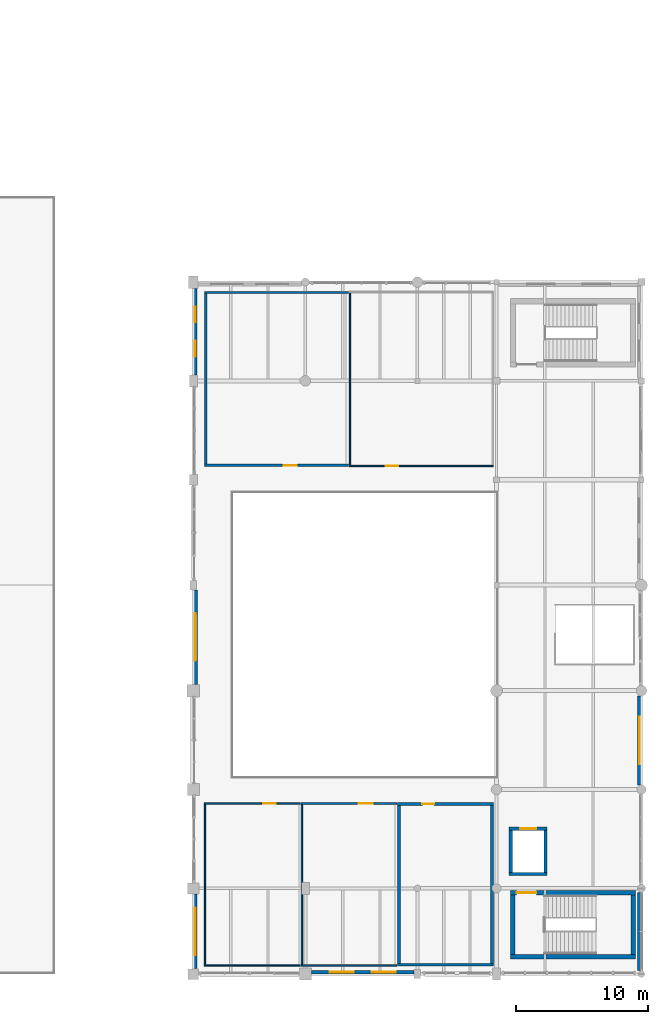
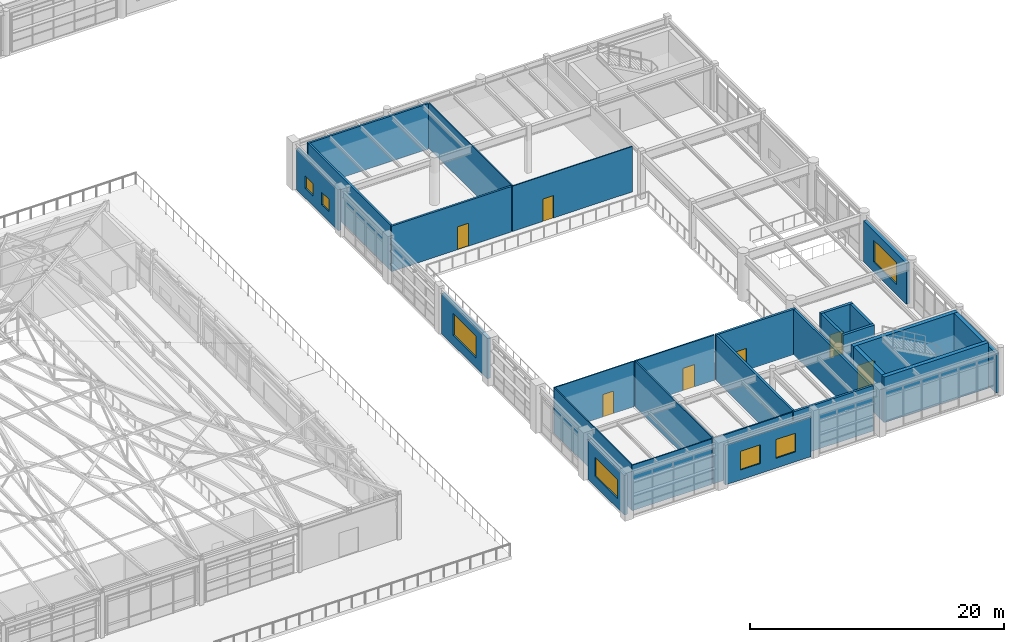
# One storey, part 155 of 168: 29 walls, 7 doors, 7 windows, 14 openings.
"""IFC4 building model written with IfcOpenShell, lengths in metres."""

from ifc_helpers import new_model, si_unit, direction, frame, frame_2d, origin, place, context, subcontext, project, spatial, rectangle, extrude, material, layer, layer_set, type_object, element, fill, save


model = new_model("IFC4")

# Units and contexts
model_context = context("Model", 3, precision=1e-05, world=origin(), true_north=direction((0.0, 1.0)))
body_context = subcontext(model_context, "Body", "Model", "MODEL_VIEW")
ifc_project = project(units=[si_unit("LENGTHUNIT", "METRE"), si_unit("AREAUNIT", "SQUARE_METRE"), si_unit("VOLUMEUNIT", "CUBIC_METRE"), si_unit("PLANEANGLEUNIT", "RADIAN"), si_unit("MASSUNIT", "GRAM", prefix="KILO"), si_unit("THERMODYNAMICTEMPERATUREUNIT", "KELVIN"), si_unit("POWERUNIT", "WATT")], contexts=[model_context])

# Site, building, storey
site_placement = place(None, origin())
site = spatial("IfcSite", under=ifc_project, at=site_placement, CompositionType="ELEMENT")
building_placement = place(site_placement, origin())
building = spatial("IfcBuilding", under=site, at=building_placement, Name="Tepalcoro Natatorium and Aquatics Centre", CompositionType="ELEMENT")
storey_placement = place(building_placement, frame((0.0, 0.0, 10.199951171875)))
storey = spatial("IfcBuildingStorey", under=building, at=storey_placement, Name="L02", CompositionType="ELEMENT", Elevation=10.199951171875)

# Wall, openings, windows
ifc_material_1 = material(Name="Precast Concrete C45/55 (fc 45 MPa)", Category="concrete")
ifc_layer_1 = layer(ifc_material_1, 0.284912109375)
ifc_layer_set_1 = layer_set([ifc_layer_1], Name="Precast Concrete C45/55 (fc 45 MPa)")
wall_type_1 = type_object("IfcWallType", Name="WL_EXT_INSUL_280", PredefinedType="SOLIDWALL", material=ifc_layer_set_1)
wall_1_placement = place(storey_placement, frame((150.9541015625, 6.642578125, 0.0), z_axis=(0.0, 0.0, 1.0), x_axis=(1.0, 0.0, 0.0)))
wall_1 = element("IfcWall", 1, at=wall_1_placement, inside=storey, type_object=wall_type_1, Name="V2 L02 S Volcanic Basalt Envelope Wall", PredefinedType="SOLIDWALL", context=body_context, shape_type="SweptSolid", body=[
    extrude(rectangle(XDim=7.7919921875, YDim=0.284912109375, at=frame_2d((3.89599609375, 0.0))), origin(), (0.0, 0.0, 1.0), 3.81396484375),
])
opening_1_placement = place(wall_1_placement, frame((1.397216796875, 0.0, 0.949951171875)))
opening_1 = element("IfcOpeningElement", 2, at=opening_1_placement, cuts=wall_1, Name="Opening W0035A", PredefinedType="OPENING", context=body_context, shape_type="SweptSolid", body=[
    extrude(rectangle(XDim=1.800048828125, YDim=1.800048828125, at=frame_2d((0.89990234375, 0.89990234375))), frame((0.0, 0.154296875, 0.0), z_axis=(0.0, -1.0, 0.0), x_axis=(1.0, 0.0, 0.0)), (0.0, 0.0, 1.0), 0.308837890625),
])
opening_2_placement = place(wall_1_placement, frame((4.5947265625, 0.0, 0.949951171875)))
opening_2 = element("IfcOpeningElement", 3, at=opening_2_placement, cuts=wall_1, Name="Opening W0035B", PredefinedType="OPENING", context=body_context, shape_type="SweptSolid", body=[
    extrude(rectangle(XDim=1.800048828125, YDim=1.800048828125, at=frame_2d((0.89990234375, 0.89990234375))), frame((0.0, 0.154296875, 0.0), z_axis=(0.0, -1.0, 0.0), x_axis=(1.0, 0.0, 0.0)), (0.0, 0.0, 1.0), 0.308837890625),
])
ifc_material_2 = material(Name="Solar-Control Bronze Tempered Low-E Double Glazing", Category="glass")
window_type_1 = type_object("IfcWindowType", Name="WN_180x180", PartitioningType="SINGLE_PANEL", PredefinedType="WINDOW", material=ifc_material_2)
window_1_placement = place(opening_1_placement, origin())
window_1 = element("IfcWindow", 4, at=window_1_placement, inside=storey, type_object=window_type_1, Name="Exterior Thermal Window WN_180x180", OverallHeight=1.800048828125, OverallWidth=1.800048828125, PartitioningType="SINGLE_PANEL", PredefinedType="WINDOW", context=body_context, shape_type="SweptSolid", body=[
    extrude(rectangle(XDim=1.800048828125, YDim=1.800048828125, at=frame_2d((0.89990234375, 0.89990234375))), frame((0.0, 0.030029296875, 0.0), z_axis=(0.0, -1.0, 0.0), x_axis=(1.0, 0.0, 0.0)), (0.0, 0.0, 1.0), 0.06005859375),
])
fill(opening_1, window_1)
window_2_placement = place(opening_2_placement, origin())
window_2 = element("IfcWindow", 5, at=window_2_placement, inside=storey, type_object=window_type_1, Name="Exterior Thermal Window WN_180x180", OverallHeight=1.800048828125, OverallWidth=1.800048828125, PartitioningType="SINGLE_PANEL", PredefinedType="WINDOW", context=body_context, shape_type="SweptSolid", body=[
    extrude(rectangle(XDim=1.800048828125, YDim=1.800048828125, at=frame_2d((0.89990234375, 0.89990234375))), frame((0.0, 0.030029296875, 0.0), z_axis=(0.0, -1.0, 0.0), x_axis=(1.0, 0.0, 0.0)), (0.0, 0.0, 1.0), 0.06005859375),
])
fill(opening_2, window_2)

# Wall, opening, window
wall_2_placement = place(storey_placement, frame((142.142578125, 6.904052734375, 0.0), z_axis=(0.0, 0.0, 1.0), x_axis=(0.0, 1.0, 0.0)))
wall_2 = element("IfcWall", 6, at=wall_2_placement, inside=storey, type_object=wall_type_1, Name="V2 L02 W Volcanic Basalt Envelope Wall", PredefinedType="SOLIDWALL", context=body_context, shape_type="SweptSolid", body=[
    extrude(rectangle(XDim=5.6669921875, YDim=0.284912109375, at=frame_2d((2.83349609375, 0.0))), origin(), (0.0, 0.0, 1.0), 3.81396484375),
])
opening_3_placement = place(wall_2_placement, frame((1.033447265625, 0.0, 0.949951171875)))
opening_3 = element("IfcOpeningElement", 7, at=opening_3_placement, cuts=wall_2, Name="Opening W0038", PredefinedType="OPENING", context=body_context, shape_type="SweptSolid", body=[
    extrude(rectangle(XDim=3.60009765625, YDim=1.800048828125, at=frame_2d((1.800048828125, 0.89990234375))), frame((0.0, 0.154296875, 0.0), z_axis=(0.0, -1.0, 0.0), x_axis=(1.0, 0.0, 0.0)), (0.0, 0.0, 1.0), 0.308837890625),
])
window_type_2 = type_object("IfcWindowType", Name="WN_360x180", PartitioningType="SINGLE_PANEL", PredefinedType="WINDOW", material=ifc_material_2)
window_3_placement = place(opening_3_placement, origin())
window_3 = element("IfcWindow", 8, at=window_3_placement, inside=storey, type_object=window_type_2, Name="Exterior Thermal Window WN_360x180", OverallHeight=1.800048828125, OverallWidth=3.60009765625, PartitioningType="SINGLE_PANEL", PredefinedType="WINDOW", context=body_context, shape_type="SweptSolid", body=[
    extrude(rectangle(XDim=3.60009765625, YDim=1.800048828125, at=frame_2d((1.800048828125, 0.89990234375))), frame((0.0, 0.030029296875, 0.0), z_axis=(0.0, -1.0, 0.0), x_axis=(1.0, 0.0, 0.0)), (0.0, 0.0, 1.0), 0.06005859375),
])
fill(opening_3, window_3)

# Wall, openings, windows
wall_3_placement = place(storey_placement, frame((142.142578125, 51.9541015625, 0.0), z_axis=(0.0, 0.0, 1.0), x_axis=(0.0, 1.0, 0.0)))
wall_3 = element("IfcWall", 9, at=wall_3_placement, inside=storey, type_object=wall_type_1, Name="V2 L02 W Volcanic Basalt Envelope Wall", PredefinedType="SOLIDWALL", context=body_context, shape_type="SweptSolid", body=[
    extrude(rectangle(XDim=6.56689453125, YDim=0.284912109375, at=frame_2d((3.283447265625, 0.0))), origin(), (0.0, 0.0, 1.0), 3.93701171875),
])
opening_4_placement = place(wall_3_placement, frame((1.388916015625, 0.0, 0.949951171875)))
opening_4 = element("IfcOpeningElement", 10, at=opening_4_placement, cuts=wall_3, Name="Opening W0040A", PredefinedType="OPENING", context=body_context, shape_type="SweptSolid", body=[
    extrude(rectangle(XDim=1.199951171875, YDim=1.199951171875, at=frame_2d((0.60009765625, 0.60009765625))), frame((0.0, 0.154296875, 0.0), z_axis=(0.0, -1.0, 0.0), x_axis=(1.0, 0.0, 0.0)), (0.0, 0.0, 1.0), 0.308837890625),
])
opening_5_placement = place(wall_3_placement, frame((3.97802734375, 0.0, 0.949951171875)))
opening_5 = element("IfcOpeningElement", 11, at=opening_5_placement, cuts=wall_3, Name="Opening W0040B", PredefinedType="OPENING", context=body_context, shape_type="SweptSolid", body=[
    extrude(rectangle(XDim=1.199951171875, YDim=1.199951171875, at=frame_2d((0.60009765625, 0.60009765625))), frame((0.0, 0.154296875, 0.0), z_axis=(0.0, -1.0, 0.0), x_axis=(1.0, 0.0, 0.0)), (0.0, 0.0, 1.0), 0.308837890625),
])
window_type_3 = type_object("IfcWindowType", Name="WN_120x120", PartitioningType="SINGLE_PANEL", PredefinedType="WINDOW", material=ifc_material_2)
window_4_placement = place(opening_4_placement, origin())
window_4 = element("IfcWindow", 12, at=window_4_placement, inside=storey, type_object=window_type_3, Name="Exterior Thermal Window WN_120x120", OverallHeight=1.199951171875, OverallWidth=1.199951171875, PartitioningType="SINGLE_PANEL", PredefinedType="WINDOW", context=body_context, shape_type="SweptSolid", body=[
    extrude(rectangle(XDim=1.199951171875, YDim=1.199951171875, at=frame_2d((0.60009765625, 0.60009765625))), frame((0.0, 0.030029296875, 0.0), z_axis=(0.0, -1.0, 0.0), x_axis=(1.0, 0.0, 0.0)), (0.0, 0.0, 1.0), 0.06005859375),
])
fill(opening_4, window_4)
window_5_placement = place(opening_5_placement, origin())
window_5 = element("IfcWindow", 13, at=window_5_placement, inside=storey, type_object=window_type_3, Name="Exterior Thermal Window WN_120x120", OverallHeight=1.199951171875, OverallWidth=1.199951171875, PartitioningType="SINGLE_PANEL", PredefinedType="WINDOW", context=body_context, shape_type="SweptSolid", body=[
    extrude(rectangle(XDim=1.199951171875, YDim=1.199951171875, at=frame_2d((0.60009765625, 0.60009765625))), frame((0.0, 0.030029296875, 0.0), z_axis=(0.0, -1.0, 0.0), x_axis=(1.0, 0.0, 0.0)), (0.0, 0.0, 1.0), 0.06005859375),
])
fill(opening_5, window_5)

# Wall, opening, window
ifc_material_3 = material(Name="Jalisco Cantera Rosa Volcanic Tuff Ashlar Masonry", Category="masonry")
ifc_layer_2 = layer(ifc_material_3, 0.304931640625)
ifc_layer_set_2 = layer_set([ifc_layer_2], Name="Jalisco Cantera Rosa Volcanic Tuff Ashlar Masonry")
wall_type_2 = type_object("IfcWallType", Name="WL_EXT_TERRACOTTA_300", PredefinedType="SOLIDWALL", material=ifc_layer_set_2)
wall_4_placement = place(storey_placement, frame((142.152587890625, 28.47900390625, 0.0), z_axis=(0.0, 0.0, 1.0), x_axis=(0.0, 1.0, 0.0)))
wall_4 = element("IfcWall", 14, at=wall_4_placement, inside=storey, type_object=wall_type_2, Name="V2 L02 W Volcanic Basalt Envelope Wall", PredefinedType="SOLIDWALL", context=body_context, shape_type="SweptSolid", body=[
    extrude(rectangle(XDim=7.1669921875, YDim=0.304931640625, at=frame_2d((3.58349609375, 0.0))), origin(), (0.0, 0.0, 1.0), 3.89013671875),
])
opening_6_placement = place(wall_4_placement, frame((1.783447265625, 0.0, 0.949951171875)))
opening_6 = element("IfcOpeningElement", 15, at=opening_6_placement, cuts=wall_4, Name="Opening W0039", PredefinedType="OPENING", context=body_context, shape_type="SweptSolid", body=[
    extrude(rectangle(XDim=3.60009765625, YDim=2.10009765625, at=frame_2d((1.800048828125, 1.050048828125))), frame((0.0, 0.16455078125, 0.0), z_axis=(0.0, -1.0, 0.0), x_axis=(1.0, 0.0, 0.0)), (0.0, 0.0, 1.0), 0.328857421875),
])
window_type_4 = type_object("IfcWindowType", Name="WN_360x210", PartitioningType="SINGLE_PANEL", PredefinedType="WINDOW", material=ifc_material_2)
window_6_placement = place(opening_6_placement, origin())
window_6 = element("IfcWindow", 16, at=window_6_placement, inside=storey, type_object=window_type_4, Name="Exterior Thermal Window WN_360x210", OverallHeight=2.10009765625, OverallWidth=3.60009765625, PartitioningType="SINGLE_PANEL", PredefinedType="WINDOW", context=body_context, shape_type="SweptSolid", body=[
    extrude(rectangle(XDim=3.60009765625, YDim=2.10009765625, at=frame_2d((1.800048828125, 1.050048828125))), frame((0.0, 0.030029296875, 0.0), z_axis=(0.0, -1.0, 0.0), x_axis=(1.0, 0.0, 0.0)), (0.0, 0.0, 1.0), 0.06005859375),
])
fill(opening_6, window_6)

# Wall
wall_5_placement = place(storey_placement, frame((175.847412109375, 6.75390625, 0.0), z_axis=(0.0, 0.0, 1.0), x_axis=(0.0, 1.0, 0.0)))
element("IfcWall", 17, at=wall_5_placement, inside=storey, type_object=wall_type_2, Name="V2 L02 E Volcanic Basalt Envelope Wall", PredefinedType="SOLIDWALL", context=body_context, shape_type="SweptSolid", body=[
    extrude(rectangle(XDim=5.942138671875, YDim=0.304931640625, at=frame_2d((2.97119140625, 0.0))), origin(), (0.0, 0.0, 1.0), 3.81396484375),
])

# Wall, opening, window
wall_6_placement = place(storey_placement, frame((175.847412109375, 20.85400390625, 0.0), z_axis=(0.0, 0.0, 1.0), x_axis=(0.0, 1.0, 0.0)))
wall_6 = element("IfcWall", 18, at=wall_6_placement, inside=storey, type_object=wall_type_2, Name="V2 L02 E Volcanic Basalt Envelope Wall", PredefinedType="SOLIDWALL", context=body_context, shape_type="SweptSolid", body=[
    extrude(rectangle(XDim=6.741943359375, YDim=0.304931640625, at=frame_2d((3.37109375, 0.0))), origin(), (0.0, 0.0, 1.0), 3.93701171875),
])
opening_7_placement = place(wall_6_placement, frame((1.571044921875, 0.0, 0.949951171875)))
opening_7 = element("IfcOpeningElement", 19, at=opening_7_placement, cuts=wall_6, Name="Opening W0041", PredefinedType="OPENING", context=body_context, shape_type="SweptSolid", body=[
    extrude(rectangle(XDim=3.60009765625, YDim=2.10009765625, at=frame_2d((1.800048828125, 1.050048828125))), frame((0.0, 0.16455078125, 0.0), z_axis=(0.0, -1.0, 0.0), x_axis=(1.0, 0.0, 0.0)), (0.0, 0.0, 1.0), 0.328857421875),
])
window_7_placement = place(opening_7_placement, origin())
window_7 = element("IfcWindow", 20, at=window_7_placement, inside=storey, type_object=window_type_4, Name="Exterior Thermal Window WN_360x210", OverallHeight=2.10009765625, OverallWidth=3.60009765625, PartitioningType="SINGLE_PANEL", PredefinedType="WINDOW", context=body_context, shape_type="SweptSolid", body=[
    extrude(rectangle(XDim=3.60009765625, YDim=2.10009765625, at=frame_2d((1.800048828125, 1.050048828125))), frame((0.0, 0.030029296875, 0.0), z_axis=(0.0, -1.0, 0.0), x_axis=(1.0, 0.0, 0.0)), (0.0, 0.0, 1.0), 0.06005859375),
])
fill(opening_7, window_7)

# Wall
ifc_material_4 = material(Name="Moisture-Resistant Acoustic Gypsum Drywall on Cold-Formed Metal Studs")
ifc_layer_3 = layer(ifc_material_4, 0.10009765625)
ifc_layer_set_3 = layer_set([ifc_layer_3], Name="Moisture-Resistant Acoustic Gypsum Drywall on Cold-Formed Metal Studs")
wall_type_3 = type_object("IfcWallType", Name="WL_PART_100", PredefinedType="PARTITIONING", material=ifc_layer_set_3)
wall_7_placement = place(storey_placement, frame((142.840087890625, 7.14990234375, 0.0), z_axis=(0.0, 0.0, 1.0), x_axis=(1.0, 0.0, 0.0)))
element("IfcWall", 21, at=wall_7_placement, inside=storey, type_object=wall_type_3, Name="10m Platform Synchronised Diving Preparation Studio Partition S", PredefinedType="PARTITIONING", context=body_context, shape_type="SweptSolid", body=[
    extrude(rectangle(XDim=7.2529296875, YDim=0.10009765625, at=frame_2d((3.62646484375, 0.0))), origin(), (0.0, 0.0, 1.0), 4.364990234375),
])

# Wall, opening, door
wall_8_placement = place(storey_placement, frame((142.840087890625, 19.449951171875, 0.0), z_axis=(0.0, 0.0, 1.0), x_axis=(1.0, 0.0, 0.0)))
wall_8 = element("IfcWall", 22, at=wall_8_placement, inside=storey, type_object=wall_type_3, Name="10m Platform Synchronised Diving Preparation Studio Partition N", PredefinedType="PARTITIONING", context=body_context, shape_type="SweptSolid", body=[
    extrude(rectangle(XDim=7.2529296875, YDim=0.10009765625, at=frame_2d((3.62646484375, 0.0))), origin(), (0.0, 0.0, 1.0), 4.364990234375),
])
opening_8_placement = place(wall_8_placement, frame((4.4521484375, 0.0, 0.0)))
opening_8 = element("IfcOpeningElement", 23, at=opening_8_placement, cuts=wall_8, Name="Opening D0157", PredefinedType="OPENING", context=body_context, shape_type="SweptSolid", body=[
    extrude(rectangle(XDim=0.949951171875, YDim=2.14990234375, at=frame_2d((0.47509765625, 1.074951171875))), frame((0.0, 0.06201171875, 0.0), z_axis=(0.0, -1.0, 0.0), x_axis=(1.0, 0.0, 0.0)), (0.0, 0.0, 1.0), 0.1240234375),
])
ifc_material_5 = material(Name="Solid-Core Moisture-Sealed Oak Timber Leaf in Aluminium Frame", Category="wood")
door_type_1 = type_object("IfcDoorType", Name="DR_095x215_OFFICE", OperationType="NOTDEFINED", PredefinedType="DOOR", material=ifc_material_5)
door_1_placement = place(opening_8_placement, frame((0.949951171875, 0.0, 0.0), z_axis=(0.0, 0.0, 1.0), x_axis=(-1.0, 0.0, 0.0)))
door_1 = element("IfcDoor", 24, at=door_1_placement, inside=storey, type_object=door_type_1, Name="10m Platform Synchronised Diving Preparation Studio Door", OperationType="SINGLE_SWING_LEFT", OverallHeight=2.14990234375, OverallWidth=0.949951171875, PredefinedType="DOOR", context=body_context, shape_type="SweptSolid", body=[
    extrude(rectangle(XDim=0.949951171875, YDim=2.14990234375, at=frame_2d((0.47509765625, 1.074951171875))), frame((0.0, 0.02490234375, 0.0), z_axis=(0.0, -1.0, 0.0), x_axis=(1.0, 0.0, 0.0)), (0.0, 0.0, 1.0), 0.050048828125),
])
fill(opening_8, door_1)

# Wall
wall_9_placement = place(storey_placement, frame((142.889892578125, 7.199951171875, 0.0), z_axis=(0.0, 0.0, 1.0), x_axis=(0.0, 1.0, 0.0)))
element("IfcWall", 25, at=wall_9_placement, inside=storey, type_object=wall_type_3, Name="10m Platform Synchronised Diving Preparation Studio Partition W", PredefinedType="PARTITIONING", context=body_context, shape_type="SweptSolid", body=[
    extrude(rectangle(XDim=12.199951171875, YDim=0.10009765625, at=frame_2d((6.10009765625, 0.0))), origin(), (0.0, 0.0, 1.0), 4.364990234375),
])

# Wall, opening, door
wall_10_placement = place(storey_placement, frame((153.840087890625, 45.050048828125, 0.0), z_axis=(0.0, 0.0, 1.0), x_axis=(1.0, 0.0, 0.0)))
wall_10 = element("IfcWall", 26, at=wall_10_placement, inside=storey, type_object=wall_type_3, Name="Diving Sports Psychology & Quiet Focus Room Partition S", PredefinedType="PARTITIONING", context=body_context, shape_type="SweptSolid", body=[
    extrude(rectangle(XDim=10.919921875, YDim=0.10009765625, at=frame_2d((5.4599609375, 0.0))), origin(), (0.0, 0.0, 1.0), 4.364990234375),
])
opening_9_placement = place(wall_10_placement, frame((2.767578125, 0.0, 0.0)))
opening_9 = element("IfcOpeningElement", 27, at=opening_9_placement, cuts=wall_10, Name="Opening D0161", PredefinedType="OPENING", context=body_context, shape_type="SweptSolid", body=[
    extrude(rectangle(XDim=0.949951171875, YDim=2.14990234375, at=frame_2d((0.47509765625, 1.074951171875))), frame((0.0, 0.06201171875, 0.0), z_axis=(0.0, -1.0, 0.0), x_axis=(1.0, 0.0, 0.0)), (0.0, 0.0, 1.0), 0.1240234375),
])
door_2_placement = place(opening_9_placement, origin())
door_2 = element("IfcDoor", 28, at=door_2_placement, inside=storey, type_object=door_type_1, Name="Diving Sports Psychology & Quiet Focus Room Door", OperationType="SINGLE_SWING_LEFT", OverallHeight=2.14990234375, OverallWidth=0.949951171875, PredefinedType="DOOR", context=body_context, shape_type="SweptSolid", body=[
    extrude(rectangle(XDim=0.949951171875, YDim=2.14990234375, at=frame_2d((0.47509765625, 1.074951171875))), frame((0.0, 0.02490234375, 0.0), z_axis=(0.0, -1.0, 0.0), x_axis=(1.0, 0.0, 0.0)), (0.0, 0.0, 1.0), 0.050048828125),
])
fill(opening_9, door_2)

# Walls
wall_11_placement = place(storey_placement, frame((153.889892578125, 45.10009765625, 0.0), z_axis=(0.0, 0.0, 1.0), x_axis=(0.0, 1.0, 0.0)))
element("IfcWall", 29, at=wall_11_placement, inside=storey, type_object=wall_type_3, Name="Diving Sports Psychology & Quiet Focus Room Partition W", PredefinedType="PARTITIONING", context=body_context, shape_type="SweptSolid", body=[
    extrude(rectangle(XDim=13.099853515625, YDim=0.10009765625, at=frame_2d((6.5498046875, 0.0))), origin(), (0.0, 0.0, 1.0), 4.364990234375),
])
ifc_layer_4 = layer(ifc_material_4, 0.125)
ifc_layer_set_4 = layer_set([ifc_layer_4], Name="Moisture-Resistant Acoustic Gypsum Drywall on Cold-Formed Metal Studs")
wall_type_4 = type_object("IfcWallType", Name="WL_PART_125", PredefinedType="PARTITIONING", material=ifc_layer_set_4)
wall_12_placement = place(storey_placement, frame((150.173095703125, 7.16259765625, 0.0), z_axis=(0.0, 0.0, 1.0), x_axis=(1.0, 0.0, 0.0)))
element("IfcWall", 30, at=wall_12_placement, inside=storey, type_object=wall_type_4, Name="High-Speed Motion-Capture Biomechanics Lab Partition S", PredefinedType="PARTITIONING", context=body_context, shape_type="SweptSolid", body=[
    extrude(rectangle(XDim=7.25390625, YDim=0.125, at=frame_2d((3.626953125, 0.0))), origin(), (0.0, 0.0, 1.0), 4.364990234375),
])

# Wall, opening, door
wall_13_placement = place(storey_placement, frame((150.173095703125, 19.4375, 0.0), z_axis=(0.0, 0.0, 1.0), x_axis=(1.0, 0.0, 0.0)))
wall_13 = element("IfcWall", 31, at=wall_13_placement, inside=storey, type_object=wall_type_4, Name="High-Speed Motion-Capture Biomechanics Lab Partition N", PredefinedType="PARTITIONING", context=body_context, shape_type="SweptSolid", body=[
    extrude(rectangle(XDim=7.25390625, YDim=0.125, at=frame_2d((3.626953125, 0.0))), origin(), (0.0, 0.0, 1.0), 4.364990234375),
])
opening_10_placement = place(wall_13_placement, frame((4.3779296875, 0.0, 0.0)))
opening_10 = element("IfcOpeningElement", 32, at=opening_10_placement, cuts=wall_13, Name="Opening D0158", PredefinedType="OPENING", context=body_context, shape_type="SweptSolid", body=[
    extrude(rectangle(XDim=1.050048828125, YDim=2.14990234375, at=frame_2d((0.52490234375, 1.074951171875))), frame((0.0, 0.074462890625, 0.0), z_axis=(0.0, -1.0, 0.0), x_axis=(1.0, 0.0, 0.0)), (0.0, 0.0, 1.0), 0.14892578125),
])
door_type_2 = type_object("IfcDoorType", Name="DR_105x215_ACC", OperationType="NOTDEFINED", PredefinedType="DOOR", material=ifc_material_5)
door_3_placement = place(opening_10_placement, frame((1.050048828125, 0.0, 0.0), z_axis=(0.0, 0.0, 1.0), x_axis=(-1.0, 0.0, 0.0)))
door_3 = element("IfcDoor", 33, at=door_3_placement, inside=storey, type_object=door_type_2, Name="High-Speed Motion-Capture Biomechanics Lab Door", OperationType="SINGLE_SWING_RIGHT", OverallHeight=2.14990234375, OverallWidth=1.050048828125, PredefinedType="DOOR", context=body_context, shape_type="SweptSolid", body=[
    extrude(rectangle(XDim=1.050048828125, YDim=2.14990234375, at=frame_2d((0.52490234375, 1.074951171875))), frame((0.0, 0.02490234375, 0.0), z_axis=(0.0, -1.0, 0.0), x_axis=(1.0, 0.0, 0.0)), (0.0, 0.0, 1.0), 0.050048828125),
])
fill(opening_10, door_3)

# Wall
wall_14_placement = place(storey_placement, frame((150.235595703125, 7.22509765625, 0.0), z_axis=(0.0, 0.0, 1.0), x_axis=(0.0, 1.0, 0.0)))
element("IfcWall", 34, at=wall_14_placement, inside=storey, type_object=wall_type_4, Name="High-Speed Motion-Capture Biomechanics Lab Partition W", PredefinedType="PARTITIONING", context=body_context, shape_type="SweptSolid", body=[
    extrude(rectangle(XDim=12.14990234375, YDim=0.125, at=frame_2d((6.074951171875, 0.0))), origin(), (0.0, 0.0, 1.0), 4.364990234375),
])

# Wall, opening, door
ifc_layer_5 = layer(ifc_material_4, 0.179931640625)
ifc_layer_set_5 = layer_set([ifc_layer_5], Name="Moisture-Resistant Acoustic Gypsum Drywall on Cold-Formed Metal Studs")
wall_type_5 = type_object("IfcWallType", Name="WL_PART_180_AC", PredefinedType="PARTITIONING", material=ifc_layer_set_5)
wall_15_placement = place(storey_placement, frame((142.840087890625, 45.090087890625, 0.0), z_axis=(0.0, 0.0, 1.0), x_axis=(1.0, 0.0, 0.0)))
wall_15 = element("IfcWall", 35, at=wall_15_placement, inside=storey, type_object=wall_type_5, Name="Platform Judges Elevated Sightline Lounge Partition S", PredefinedType="PARTITIONING", context=body_context, shape_type="SweptSolid", body=[
    extrude(rectangle(XDim=10.919921875, YDim=0.179931640625, at=frame_2d((5.4599609375, 0.0))), origin(), (0.0, 0.0, 1.0), 4.364990234375),
])
opening_11_placement = place(wall_15_placement, frame((6.018310546875, 0.0, 0.0)))
opening_11 = element("IfcOpeningElement", 36, at=opening_11_placement, cuts=wall_15, Name="Opening D0160", PredefinedType="OPENING", context=body_context, shape_type="SweptSolid", body=[
    extrude(rectangle(XDim=1.0, YDim=2.199951171875, at=frame_2d((0.5, 1.10009765625))), frame((0.0, 0.10205078125, 0.0), z_axis=(0.0, -1.0, 0.0), x_axis=(1.0, 0.0, 0.0)), (0.0, 0.0, 1.0), 0.203857421875),
])
ifc_material_6 = material(Name="Galvanised Steel Insulated Acoustic Fire Door Assembly", Category="steel")
door_type_3 = type_object("IfcDoorType", Name="DR_100x220_FD60", OperationType="NOTDEFINED", PredefinedType="DOOR", material=ifc_material_6)
door_4_placement = place(opening_11_placement, origin())
door_4 = element("IfcDoor", 37, at=door_4_placement, inside=storey, type_object=door_type_3, Name="Platform Judges Elevated Sightline Lounge Door", OperationType="SINGLE_SWING_RIGHT", OverallHeight=2.199951171875, OverallWidth=1.0, PredefinedType="DOOR", context=body_context, shape_type="SweptSolid", body=[
    extrude(rectangle(XDim=1.0, YDim=2.199951171875, at=frame_2d((0.5, 1.10009765625))), frame((0.0, 0.02490234375, 0.0), z_axis=(0.0, -1.0, 0.0), x_axis=(1.0, 0.0, 0.0)), (0.0, 0.0, 1.0), 0.050048828125),
])
fill(opening_11, door_4)

# Walls
wall_16_placement = place(storey_placement, frame((142.840087890625, 58.2099609375, 0.0), z_axis=(0.0, 0.0, 1.0), x_axis=(1.0, 0.0, 0.0)))
element("IfcWall", 38, at=wall_16_placement, inside=storey, type_object=wall_type_5, Name="Platform Judges Elevated Sightline Lounge Partition N", PredefinedType="PARTITIONING", context=body_context, shape_type="SweptSolid", body=[
    extrude(rectangle(XDim=10.919921875, YDim=0.179931640625, at=frame_2d((5.4599609375, 0.0))), origin(), (0.0, 0.0, 1.0), 4.364990234375),
])
wall_17_placement = place(storey_placement, frame((142.929931640625, 45.179931640625, 0.0), z_axis=(0.0, 0.0, 1.0), x_axis=(0.0, 1.0, 0.0)))
element("IfcWall", 39, at=wall_17_placement, inside=storey, type_object=wall_type_5, Name="Platform Judges Elevated Sightline Lounge Partition W", PredefinedType="PARTITIONING", context=body_context, shape_type="SweptSolid", body=[
    extrude(rectangle(XDim=12.940185546875, YDim=0.179931640625, at=frame_2d((6.47021484375, 0.0))), origin(), (0.0, 0.0, 1.0), 4.364990234375),
])
ifc_material_7 = material(Name="Ceramic-Tiled Moisture-Resistant Masonry Blockwork", Category="masonry")
ifc_layer_6 = layer(ifc_material_7, 0.199951171875)
ifc_layer_set_6 = layer_set([ifc_layer_6], Name="Ceramic-Tiled Moisture-Resistant Masonry Blockwork")
wall_type_6 = type_object("IfcWallType", Name="WL_PLUMB_200", PredefinedType="PLUMBINGWALL", material=ifc_layer_set_6)
wall_18_placement = place(storey_placement, frame((157.507080078125, 7.199951171875, 0.0), z_axis=(0.0, 0.0, 1.0), x_axis=(1.0, 0.0, 0.0)))
element("IfcWall", 40, at=wall_18_placement, inside=storey, type_object=wall_type_6, Name="L02 Diving Athletes Accessible WC & Shower Partition S", PredefinedType="PLUMBINGWALL", context=body_context, shape_type="SweptSolid", body=[
    extrude(rectangle(XDim=7.2529296875, YDim=0.199951171875, at=frame_2d((3.62646484375, 0.0))), origin(), (0.0, 0.0, 1.0), 4.364990234375),
])

# Wall, opening, door
wall_19_placement = place(storey_placement, frame((157.507080078125, 19.39990234375, 0.0), z_axis=(0.0, 0.0, 1.0), x_axis=(1.0, 0.0, 0.0)))
wall_19 = element("IfcWall", 41, at=wall_19_placement, inside=storey, type_object=wall_type_6, Name="L02 Diving Athletes Accessible WC & Shower Partition N", PredefinedType="PLUMBINGWALL", context=body_context, shape_type="SweptSolid", body=[
    extrude(rectangle(XDim=7.2529296875, YDim=0.199951171875, at=frame_2d((3.62646484375, 0.0))), origin(), (0.0, 0.0, 1.0), 4.364990234375),
])
opening_12_placement = place(wall_19_placement, frame((1.86328125, 0.0, 0.0)))
opening_12 = element("IfcOpeningElement", 42, at=opening_12_placement, cuts=wall_19, Name="Opening D0159", PredefinedType="OPENING", context=body_context, shape_type="SweptSolid", body=[
    extrude(rectangle(XDim=0.89990234375, YDim=2.10009765625, at=frame_2d((0.449951171875, 1.050048828125))), frame((0.0, 0.11181640625, 0.0), z_axis=(0.0, -1.0, 0.0), x_axis=(1.0, 0.0, 0.0)), (0.0, 0.0, 1.0), 0.223876953125),
])
door_type_4 = type_object("IfcDoorType", Name="DR_095x215_WC", OperationType="NOTDEFINED", PredefinedType="DOOR", material=ifc_material_5)
door_5_placement = place(opening_12_placement, frame((0.89990234375, 0.0, 0.0), z_axis=(0.0, 0.0, 1.0), x_axis=(-1.0, 0.0, 0.0)))
door_5 = element("IfcDoor", 43, at=door_5_placement, inside=storey, type_object=door_type_4, Name="L02 Diving Athletes Accessible WC & Shower Door", OperationType="SINGLE_SWING_LEFT", OverallHeight=2.10009765625, OverallWidth=0.89990234375, PredefinedType="DOOR", context=body_context, shape_type="SweptSolid", body=[
    extrude(rectangle(XDim=0.89990234375, YDim=2.10009765625, at=frame_2d((0.449951171875, 1.050048828125))), frame((0.0, 0.02490234375, 0.0), z_axis=(0.0, -1.0, 0.0), x_axis=(1.0, 0.0, 0.0)), (0.0, 0.0, 1.0), 0.050048828125),
])
fill(opening_12, door_5)

# Walls
for number, where, z_axis, x_axis, name in (
    (44, (164.659912109375, 7.300048828125, 0.0), (0.0, 0.0, 1.0), (0.0, 1.0, 0.0), "L02 Diving Athletes Accessible WC & Shower Partition E"),
    (45, (157.60693359375, 7.300048828125, 0.0), (0.0, 0.0, 1.0), (0.0, 1.0, 0.0), "L02 Diving Athletes Accessible WC & Shower Partition W"),
):
    element("IfcWall", number, at=place(storey_placement, frame(where, z_axis=z_axis, x_axis=x_axis)), inside=storey, type_object=wall_type_6, Name=name, PredefinedType="PLUMBINGWALL", context=body_context, shape_type="SweptSolid", body=[
        extrude(rectangle(XDim=12.0, YDim=0.199951171875, at=frame_2d((6.0, 0.0))), origin(), (0.0, 0.0, 1.0), 4.364990234375),
    ])
ifc_material_8 = material(Name="Concrete C40/50 (fc 40 MPa)", Category="concrete")
ifc_layer_7 = layer(ifc_material_8, 0.239990234375)
ifc_layer_set_7 = layer_set([ifc_layer_7], Name="Concrete C40/50 (fc 40 MPa)")
wall_type_7 = type_object("IfcWallType", Name="WL_SHAFT_240", PredefinedType="SOLIDWALL", material=ifc_layer_set_7)
wall_20_placement = place(storey_placement, frame((165.9599609375, 14.080078125, 0.0), z_axis=(0.0, 0.0, 1.0), x_axis=(1.0, 0.0, 0.0)))
element("IfcWall", 46, at=wall_20_placement, inside=storey, type_object=wall_type_7, Name="LF02 Lift Shaft Wall S L02", PredefinedType="SOLIDWALL", context=body_context, shape_type="SweptSolid", body=[
    extrude(rectangle(XDim=2.880126953125, YDim=0.239990234375, at=frame_2d((1.43994140625, 0.0))), origin(), (0.0, 0.0, 1.0), 4.60009765625),
])

# Wall, opening, door
wall_21_placement = place(storey_placement, frame((165.9599609375, 17.52001953125, 0.0), z_axis=(0.0, 0.0, 1.0), x_axis=(1.0, 0.0, 0.0)))
wall_21 = element("IfcWall", 47, at=wall_21_placement, inside=storey, type_object=wall_type_7, Name="LF02 Lift Shaft Wall N L02", PredefinedType="SOLIDWALL", context=body_context, shape_type="SweptSolid", body=[
    extrude(rectangle(XDim=2.880126953125, YDim=0.239990234375, at=frame_2d((1.43994140625, 0.0))), origin(), (0.0, 0.0, 1.0), 4.60009765625),
])
opening_13_placement = place(wall_21_placement, frame((0.840087890625, 0.0, 0.0)))
opening_13 = element("IfcOpeningElement", 48, at=opening_13_placement, cuts=wall_21, Name="Opening LD-LF02-L02", PredefinedType="OPENING", context=body_context, shape_type="SweptSolid", body=[
    extrude(rectangle(XDim=1.199951171875, YDim=2.199951171875, at=frame_2d((0.60009765625, 1.10009765625))), frame((0.0, 0.1318359375, 0.0), z_axis=(0.0, -1.0, 0.0), x_axis=(1.0, 0.0, 0.0)), (0.0, 0.0, 1.0), 0.263916015625),
])
ifc_material_9 = material(Name="Marine-Grade Brushed Stainless Steel AISI 316L", Category="steel")
door_type_5 = type_object("IfcDoorType", Name="DR_120x220_LIFT", OperationType="NOTDEFINED", PredefinedType="USERDEFINED", material=ifc_material_9)
door_6_placement = place(opening_13_placement, origin())
door_6 = element("IfcDoor", 49, at=door_6_placement, inside=storey, type_object=door_type_5, Name="LF02 Lift Landing Sliding Door (L02)", ObjectType="SLIDING LANDING DOOR", OperationType="SLIDING_TO_RIGHT", OverallHeight=2.199951171875, OverallWidth=1.199951171875, PredefinedType="USERDEFINED", context=body_context, shape_type="SweptSolid", body=[
    extrude(rectangle(XDim=1.199951171875, YDim=2.199951171875, at=frame_2d((0.60009765625, 1.10009765625))), frame((0.0, 0.02490234375, 0.0), z_axis=(0.0, -1.0, 0.0), x_axis=(1.0, 0.0, 0.0)), (0.0, 0.0, 1.0), 0.050048828125),
])
fill(opening_13, door_6)

# Walls
for number, where, z_axis, x_axis, name in (
    (50, (166.080078125, 14.199951171875, 0.0), (0.0, 0.0, 1.0), (0.0, 1.0, 0.0), "LF02 Lift Shaft Wall W L02"),
    (51, (168.719970703125, 14.199951171875, 0.0), (0.0, 0.0, 1.0), (0.0, 1.0, 0.0), "LF02 Lift Shaft Wall E L02"),
):
    element("IfcWall", number, at=place(storey_placement, frame(where, z_axis=z_axis, x_axis=x_axis)), inside=storey, type_object=wall_type_7, Name=name, PredefinedType="SOLIDWALL", context=body_context, shape_type="SweptSolid", body=[
        extrude(rectangle(XDim=3.199951171875, YDim=0.239990234375, at=frame_2d((1.60009765625, 0.0))), origin(), (0.0, 0.0, 1.0), 4.60009765625),
    ])
ifc_layer_8 = layer(ifc_material_8, 0.35009765625)
ifc_layer_set_8 = layer_set([ifc_layer_8], Name="Concrete C40/50 (fc 40 MPa)")
wall_type_8 = type_object("IfcWallType", Name="WL_SHEAR_350", PredefinedType="SHEAR", material=ifc_layer_set_8)
wall_22_placement = place(storey_placement, frame((166.050048828125, 7.824951171875, 0.0), z_axis=(0.0, 0.0, 1.0), x_axis=(1.0, 0.0, 0.0)))
element("IfcWall", 52, at=wall_22_placement, inside=storey, type_object=wall_type_8, Name="ST03 Core Shear Wall S L02", PredefinedType="SHEAR", context=body_context, shape_type="SweptSolid", body=[
    extrude(rectangle(XDim=9.5, YDim=0.35009765625, at=frame_2d((4.75, 0.0))), origin(), (0.0, 0.0, 1.0), 4.380126953125),
])

# Wall, opening, door
wall_23_placement = place(storey_placement, frame((166.050048828125, 12.675048828125, 0.0), z_axis=(0.0, 0.0, 1.0), x_axis=(1.0, 0.0, 0.0)))
wall_23 = element("IfcWall", 53, at=wall_23_placement, inside=storey, type_object=wall_type_8, Name="ST03 Core Shear Wall N L02", PredefinedType="SHEAR", context=body_context, shape_type="SweptSolid", body=[
    extrude(rectangle(XDim=9.5, YDim=0.35009765625, at=frame_2d((4.75, 0.0))), origin(), (0.0, 0.0, 1.0), 4.380126953125),
])
opening_14_placement = place(wall_23_placement, frame((0.47998046875, 0.0, 0.0)))
opening_14 = element("IfcOpeningElement", 54, at=opening_14_placement, cuts=wall_23, Name="Opening D0014", PredefinedType="OPENING", context=body_context, shape_type="SweptSolid", body=[
    extrude(rectangle(XDim=1.5, YDim=2.300048828125, at=frame_2d((0.75, 1.14990234375))), frame((0.0, 0.18701171875, 0.0), z_axis=(0.0, -1.0, 0.0), x_axis=(1.0, 0.0, 0.0)), (0.0, 0.0, 1.0), 0.3740234375),
])
door_type_6 = type_object("IfcDoorType", Name="DR_150x230_FD60", OperationType="NOTDEFINED", PredefinedType="DOOR", material=ifc_material_6)
door_7_placement = place(opening_14_placement, frame((1.5, 0.0, 0.0), z_axis=(0.0, 0.0, 1.0), x_axis=(-1.0, 0.0, 0.0)))
door_7 = element("IfcDoor", 55, at=door_7_placement, inside=storey, type_object=door_type_6, Name="ST03 Fire Stair Door (L02)", OperationType="DOUBLE_DOOR_SINGLE_SWING", OverallHeight=2.300048828125, OverallWidth=1.5, PredefinedType="DOOR", context=body_context, shape_type="SweptSolid", body=[
    extrude(rectangle(XDim=1.5, YDim=2.300048828125, at=frame_2d((0.75, 1.14990234375))), frame((0.0, 0.02490234375, 0.0), z_axis=(0.0, -1.0, 0.0), x_axis=(1.0, 0.0, 0.0)), (0.0, 0.0, 1.0), 0.050048828125),
])
fill(opening_14, door_7)

# Walls
for number, where, z_axis, x_axis, name in (
    (56, (166.22509765625, 8.0, 0.0), (0.0, 0.0, 1.0), (0.0, 1.0, 0.0), "ST03 Core Shear Wall W L02"),
    (57, (175.375, 8.0, 0.0), (0.0, 0.0, 1.0), (0.0, 1.0, 0.0), "ST03 Core Shear Wall E L02"),
):
    element("IfcWall", number, at=place(storey_placement, frame(where, z_axis=z_axis, x_axis=x_axis)), inside=storey, type_object=wall_type_8, Name=name, PredefinedType="SHEAR", context=body_context, shape_type="SweptSolid", body=[
        extrude(rectangle(XDim=4.5, YDim=0.35009765625, at=frame_2d((2.25, 0.0))), origin(), (0.0, 0.0, 1.0), 4.380126953125),
    ])

save(model, "model.ifc")
